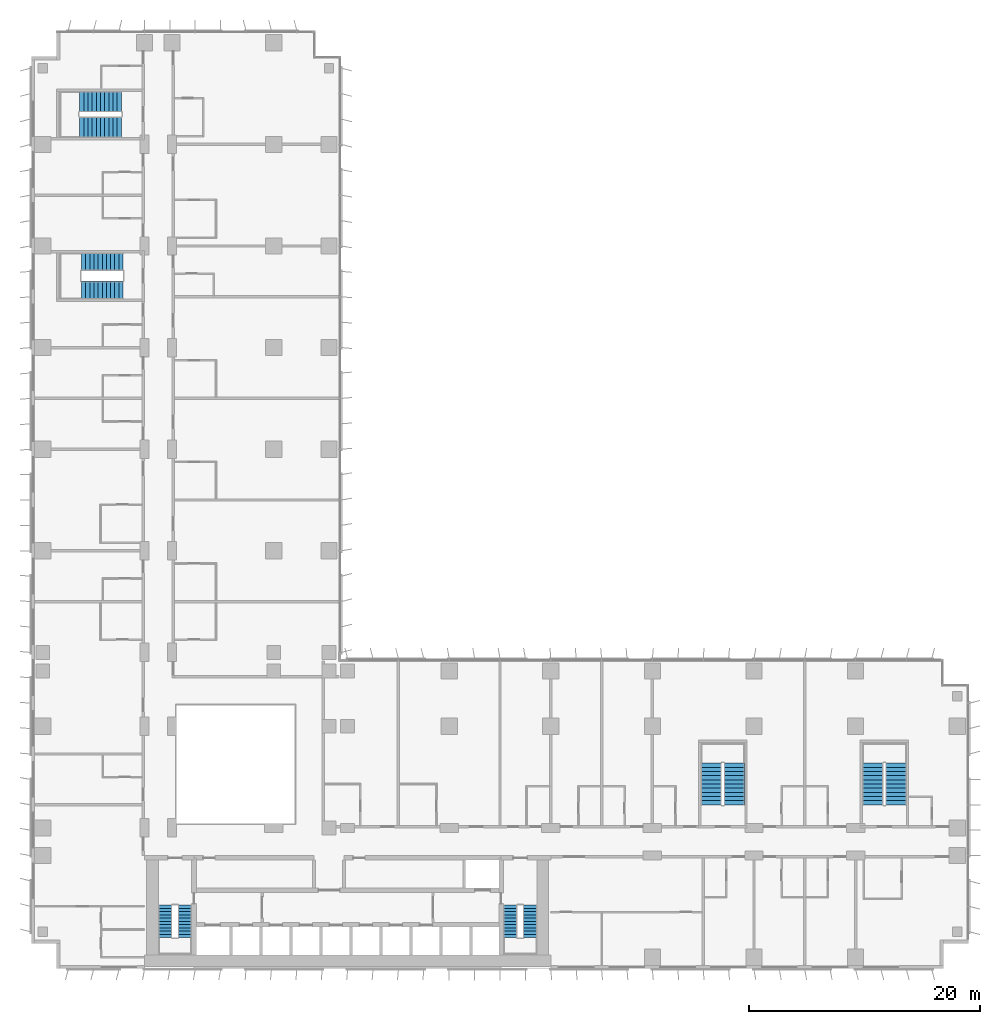
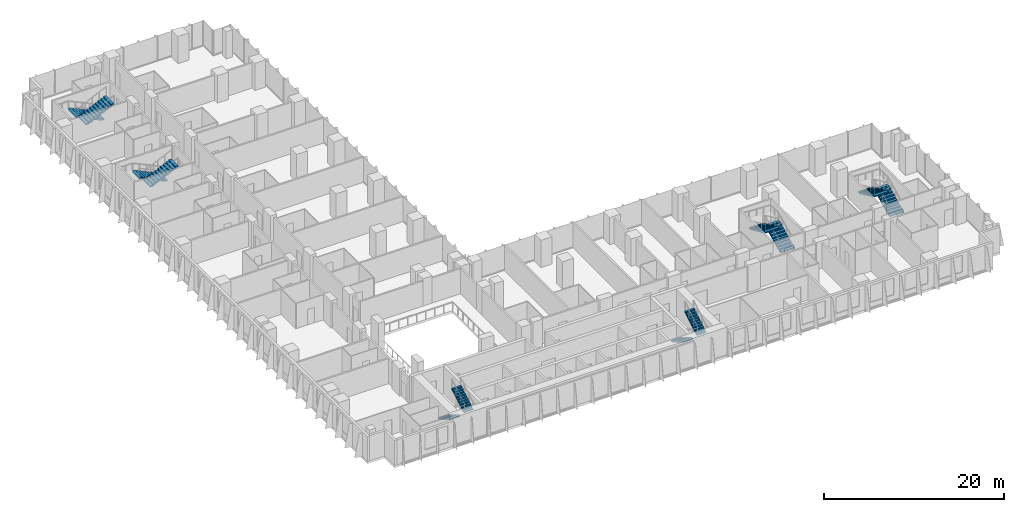
# One storey, part 20 of 24: 12 stair flights, 6 elements without a shape of their own.
"""IFC4 building model written with IfcOpenShell, lengths in metres."""

from ifc_helpers import new_model, si_unit, direction, frame, origin, place, context, subcontext, project, spatial, polyline, outline, extrude, material, type_object, element, aggregate, save


model = new_model("IFC4")

# Units and contexts
model_context = context("Model", 3, precision=1e-05, world=origin(), true_north=direction((0.0, 1.0)))
body_context = subcontext(model_context, "Body", "Model", "MODEL_VIEW")
ifc_project = project(units=[si_unit("LENGTHUNIT", "METRE"), si_unit("AREAUNIT", "SQUARE_METRE"), si_unit("VOLUMEUNIT", "CUBIC_METRE"), si_unit("PLANEANGLEUNIT", "RADIAN"), si_unit("MASSUNIT", "GRAM", prefix="KILO")], contexts=[model_context])

# Site, building, storey
site_placement = place(None, origin())
site = spatial("IfcSite", under=ifc_project, at=site_placement, CompositionType="ELEMENT")
building_placement = place(site_placement, origin())
building = spatial("IfcBuilding", under=site, at=building_placement, Name="Kemantara Hotel Tower", CompositionType="ELEMENT")
storey_placement = place(building_placement, frame((0.0, 0.0, 48.800048828125)))
storey = spatial("IfcBuildingStorey", under=building, at=storey_placement, Name="L10", CompositionType="ELEMENT", Elevation=48.800048828125)

# Stair, stair flights
ifc_material = material(Name="Concrete fc 40 MPa", Category="concrete")
stair_type_1 = type_object("IfcStairType", Name="Stair 1200 wide 22 risers of 168 x 280 mm", PredefinedType="HALF_TURN_STAIR", material=ifc_material)
stair_1_placement = place(storey_placement, origin())
stair_1 = element("IfcStair", 1, at=stair_1_placement, inside=storey, type_object=stair_type_1, Name="L10 Exit stair ST1", PredefinedType="HALF_TURN_STAIR")
stair_flight_type_1 = type_object("IfcStairFlightType", Name="Stair flight 1200 wide 168 x 280 mm", PredefinedType="STRAIGHT", material=ifc_material)
stair_flight_1_placement = place(storey_placement, frame((11.60009765625, 5.5, 0.0), z_axis=(0.0, 0.0, 1.0), x_axis=(0.0, -1.0, 0.0)))
stair_flight_1 = element("IfcStairFlight", 2, at=stair_flight_1_placement, type_object=stair_flight_type_1, Name="ST1 flight 1", NumberOfRisers=11, NumberOfTreads=10, PredefinedType="STRAIGHT", RiserHeight=0.168181818, TreadLength=0.28, context=body_context, shape_type="SweptSolid", body=[
    extrude(outline(polyline([(0.0, 0.0), (0.0, 0.168212890625), (0.280029296875, 0.168212890625), (0.280029296875, 0.33642578125), (0.56005859375, 0.33642578125), (0.56005859375, 0.504638671875), (0.840087890625, 0.504638671875), (0.840087890625, 0.672607421875), (1.1201171875, 0.672607421875), (1.1201171875, 0.8408203125), (1.39990234375, 0.8408203125), (1.39990234375, 1.009033203125), (1.679931640625, 1.009033203125), (1.679931640625, 1.17724609375), (1.9599609375, 1.17724609375), (1.9599609375, 1.345458984375), (2.239990234375, 1.345458984375), (2.239990234375, 1.513671875), (2.52001953125, 1.513671875), (2.52001953125, 1.681884765625), (2.800048828125, 1.681884765625), (2.800048828125, 1.85009765625), (2.800048828125, 1.5068359375), (0.291015625, 0.0), (0.0, 0.0)])), frame((0.0, 0.60009765625, 0.0), z_axis=(0.0, -1.0, 0.0), x_axis=(1.0, 0.0, 0.0)), (0.0, 0.0, 1.0), 1.199951171875),
])
stair_flight_2_placement = place(storey_placement, frame((13.300048828125, 2.699951171875, 1.849853515625), z_axis=(0.0, 0.0, 1.0), x_axis=(0.0, 1.0, 0.0)))
stair_flight_2 = element("IfcStairFlight", 3, at=stair_flight_2_placement, type_object=stair_flight_type_1, Name="ST1 flight 2", NumberOfRisers=11, NumberOfTreads=10, PredefinedType="STRAIGHT", RiserHeight=0.168181818, TreadLength=0.28, context=body_context, shape_type="SweptSolid", body=[
    extrude(outline(polyline([(0.0, 0.0), (0.0, 0.168212890625), (0.280029296875, 0.168212890625), (0.280029296875, 0.33642578125), (0.56005859375, 0.33642578125), (0.56005859375, 0.504638671875), (0.840087890625, 0.504638671875), (0.840087890625, 0.672607421875), (1.1201171875, 0.672607421875), (1.1201171875, 0.8408203125), (1.39990234375, 0.8408203125), (1.39990234375, 1.009033203125), (1.679931640625, 1.009033203125), (1.679931640625, 1.17724609375), (1.9599609375, 1.17724609375), (1.9599609375, 1.345458984375), (2.239990234375, 1.345458984375), (2.239990234375, 1.513671875), (2.52001953125, 1.513671875), (2.52001953125, 1.681884765625), (2.800048828125, 1.681884765625), (2.800048828125, 1.85009765625), (2.800048828125, 1.5068359375), (0.291015625, 0.0), (0.0, 0.0)])), frame((0.0, 0.60009765625, 0.0), z_axis=(0.0, -1.0, 0.0), x_axis=(1.0, 0.0, 0.0)), (0.0, 0.0, 1.0), 1.199951171875),
])
aggregate(stair_1, [stair_flight_1, stair_flight_2])

stair_2_placement = place(storey_placement, origin())
stair_2 = element("IfcStair", 4, at=stair_2_placement, inside=storey, type_object=stair_type_1, Name="L10 Exit stair ST2", PredefinedType="HALF_TURN_STAIR")
stair_flight_3_placement = place(storey_placement, frame((41.5, 5.5, 0.0), z_axis=(0.0, 0.0, 1.0), x_axis=(0.0, -1.0, 0.0)))
stair_flight_3 = element("IfcStairFlight", 5, at=stair_flight_3_placement, type_object=stair_flight_type_1, Name="ST2 flight 1", NumberOfRisers=11, NumberOfTreads=10, PredefinedType="STRAIGHT", RiserHeight=0.168181818, TreadLength=0.28, context=body_context, shape_type="SweptSolid", body=[
    extrude(outline(polyline([(0.0, 0.0), (0.0, 0.168212890625), (0.280029296875, 0.168212890625), (0.280029296875, 0.33642578125), (0.56005859375, 0.33642578125), (0.56005859375, 0.504638671875), (0.840087890625, 0.504638671875), (0.840087890625, 0.672607421875), (1.1201171875, 0.672607421875), (1.1201171875, 0.8408203125), (1.39990234375, 0.8408203125), (1.39990234375, 1.009033203125), (1.679931640625, 1.009033203125), (1.679931640625, 1.17724609375), (1.9599609375, 1.17724609375), (1.9599609375, 1.345458984375), (2.239990234375, 1.345458984375), (2.239990234375, 1.513671875), (2.52001953125, 1.513671875), (2.52001953125, 1.681884765625), (2.800048828125, 1.681884765625), (2.800048828125, 1.85009765625), (2.800048828125, 1.5068359375), (0.291015625, 0.0), (0.0, 0.0)])), frame((0.0, 0.60009765625, 0.0), z_axis=(0.0, -1.0, 0.0), x_axis=(1.0, 0.0, 0.0)), (0.0, 0.0, 1.0), 1.199951171875),
])
stair_flight_4_placement = place(storey_placement, frame((43.199951171875, 2.699951171875, 1.849853515625), z_axis=(0.0, 0.0, 1.0), x_axis=(0.0, 1.0, 0.0)))
stair_flight_4 = element("IfcStairFlight", 6, at=stair_flight_4_placement, type_object=stair_flight_type_1, Name="ST2 flight 2", NumberOfRisers=11, NumberOfTreads=10, PredefinedType="STRAIGHT", RiserHeight=0.168181818, TreadLength=0.28, context=body_context, shape_type="SweptSolid", body=[
    extrude(outline(polyline([(0.0, 0.0), (0.0, 0.168212890625), (0.280029296875, 0.168212890625), (0.280029296875, 0.33642578125), (0.56005859375, 0.33642578125), (0.56005859375, 0.504638671875), (0.840087890625, 0.504638671875), (0.840087890625, 0.672607421875), (1.1201171875, 0.672607421875), (1.1201171875, 0.8408203125), (1.39990234375, 0.8408203125), (1.39990234375, 1.009033203125), (1.679931640625, 1.009033203125), (1.679931640625, 1.17724609375), (1.9599609375, 1.17724609375), (1.9599609375, 1.345458984375), (2.239990234375, 1.345458984375), (2.239990234375, 1.513671875), (2.52001953125, 1.513671875), (2.52001953125, 1.681884765625), (2.800048828125, 1.681884765625), (2.800048828125, 1.85009765625), (2.800048828125, 1.5068359375), (0.291015625, 0.0), (0.0, 0.0)])), frame((0.0, 0.60009765625, 0.0), z_axis=(0.0, -1.0, 0.0), x_axis=(1.0, 0.0, 0.0)), (0.0, 0.0, 1.0), 1.199951171875),
])
aggregate(stair_2, [stair_flight_3, stair_flight_4])

stair_type_2 = type_object("IfcStairType", Name="Stair 1550 wide 22 risers of 168 x 360 mm", PredefinedType="HALF_TURN_STAIR", material=ifc_material)
stair_3_placement = place(storey_placement, origin())
stair_3 = element("IfcStair", 7, at=stair_3_placement, inside=storey, type_object=stair_type_2, Name="L10 Exit stair ST4", PredefinedType="HALF_TURN_STAIR")
stair_flight_type_2 = type_object("IfcStairFlightType", Name="Stair flight 1550 wide 168 x 360 mm", PredefinedType="STRAIGHT", material=ifc_material)
stair_flight_5_placement = place(storey_placement, frame((7.949951171875, 61.22509765625, 0.0), z_axis=(0.0, 0.0, 1.0), x_axis=(-1.0, 0.0, 0.0)))
stair_flight_5 = element("IfcStairFlight", 8, at=stair_flight_5_placement, type_object=stair_flight_type_2, Name="ST4 flight 1", NumberOfRisers=11, NumberOfTreads=10, PredefinedType="STRAIGHT", RiserHeight=0.168181818, TreadLength=0.36, context=body_context, shape_type="SweptSolid", body=[
    extrude(outline(polyline([(0.0, 0.0), (0.0, 0.168212890625), (0.360107421875, 0.168212890625), (0.360107421875, 0.33642578125), (0.719970703125, 0.33642578125), (0.719970703125, 0.504638671875), (1.080078125, 0.504638671875), (1.080078125, 0.672607421875), (1.43994140625, 0.672607421875), (1.43994140625, 0.8408203125), (1.800048828125, 0.8408203125), (1.800048828125, 1.009033203125), (2.159912109375, 1.009033203125), (2.159912109375, 1.17724609375), (2.52001953125, 1.17724609375), (2.52001953125, 1.345458984375), (2.8798828125, 1.345458984375), (2.8798828125, 1.513671875), (3.239990234375, 1.513671875), (3.239990234375, 1.681884765625), (3.60009765625, 1.681884765625), (3.60009765625, 1.85009765625), (3.60009765625, 1.516357421875), (0.354248046875, 0.0), (0.0, 0.0)])), frame((0.0, 0.77490234375, 0.0), z_axis=(0.0, -1.0, 0.0), x_axis=(1.0, 0.0, 0.0)), (0.0, 0.0, 1.0), 1.550048828125),
])
stair_flight_6_placement = place(storey_placement, frame((4.35009765625, 58.77490234375, 1.849853515625), z_axis=(0.0, 0.0, 1.0), x_axis=(1.0, 0.0, 0.0)))
stair_flight_6 = element("IfcStairFlight", 9, at=stair_flight_6_placement, type_object=stair_flight_type_2, Name="ST4 flight 2", NumberOfRisers=11, NumberOfTreads=10, PredefinedType="STRAIGHT", RiserHeight=0.168181818, TreadLength=0.36, context=body_context, shape_type="SweptSolid", body=[
    extrude(outline(polyline([(0.0, 0.0), (0.0, 0.168212890625), (0.360107421875, 0.168212890625), (0.360107421875, 0.33642578125), (0.719970703125, 0.33642578125), (0.719970703125, 0.504638671875), (1.080078125, 0.504638671875), (1.080078125, 0.672607421875), (1.43994140625, 0.672607421875), (1.43994140625, 0.8408203125), (1.800048828125, 0.8408203125), (1.800048828125, 1.009033203125), (2.159912109375, 1.009033203125), (2.159912109375, 1.17724609375), (2.52001953125, 1.17724609375), (2.52001953125, 1.345458984375), (2.8798828125, 1.345458984375), (2.8798828125, 1.513671875), (3.239990234375, 1.513671875), (3.239990234375, 1.681884765625), (3.60009765625, 1.681884765625), (3.60009765625, 1.85009765625), (3.60009765625, 1.516357421875), (0.354248046875, 0.0), (0.0, 0.0)])), frame((0.0, 0.77490234375, 0.0), z_axis=(0.0, -1.0, 0.0), x_axis=(1.0, 0.0, 0.0)), (0.0, 0.0, 1.0), 1.550048828125),
])
aggregate(stair_3, [stair_flight_5, stair_flight_6])

stair_type_3 = type_object("IfcStairType", Name="Stair 1800 wide 22 risers of 168 x 360 mm", PredefinedType="HALF_TURN_STAIR", material=ifc_material)
stair_4_placement = place(storey_placement, origin())
stair_4 = element("IfcStair", 10, at=stair_4_placement, inside=storey, type_object=stair_type_3, Name="L10 Exit stair ST3", PredefinedType="HALF_TURN_STAIR")
stair_flight_type_3 = type_object("IfcStairFlightType", Name="Stair flight 1800 wide 168 x 360 mm", PredefinedType="STRAIGHT", material=ifc_material)
stair_flight_7_placement = place(storey_placement, frame((60.89990234375, 14.199951171875, 0.0), z_axis=(0.0, 0.0, 1.0), x_axis=(0.0, 1.0, 0.0)))
stair_flight_7 = element("IfcStairFlight", 11, at=stair_flight_7_placement, type_object=stair_flight_type_3, Name="ST3 flight 1", NumberOfRisers=11, NumberOfTreads=10, PredefinedType="STRAIGHT", RiserHeight=0.168181818, TreadLength=0.36, context=body_context, shape_type="SweptSolid", body=[
    extrude(outline(polyline([(0.0, 0.0), (0.0, 0.168212890625), (0.360107421875, 0.168212890625), (0.360107421875, 0.33642578125), (0.719970703125, 0.33642578125), (0.719970703125, 0.504638671875), (1.080078125, 0.504638671875), (1.080078125, 0.672607421875), (1.43994140625, 0.672607421875), (1.43994140625, 0.8408203125), (1.800048828125, 0.8408203125), (1.800048828125, 1.009033203125), (2.159912109375, 1.009033203125), (2.159912109375, 1.17724609375), (2.52001953125, 1.17724609375), (2.52001953125, 1.345458984375), (2.8798828125, 1.345458984375), (2.8798828125, 1.513671875), (3.239990234375, 1.513671875), (3.239990234375, 1.681884765625), (3.60009765625, 1.681884765625), (3.60009765625, 1.85009765625), (3.60009765625, 1.516357421875), (0.354248046875, 0.0), (0.0, 0.0)])), frame((0.0, 0.89990234375, 0.0), z_axis=(0.0, -1.0, 0.0), x_axis=(1.0, 0.0, 0.0)), (0.0, 0.0, 1.0), 1.800048828125),
])
stair_flight_8_placement = place(storey_placement, frame((58.89990234375, 17.800048828125, 1.849853515625), z_axis=(0.0, 0.0, 1.0), x_axis=(0.0, -1.0, 0.0)))
stair_flight_8 = element("IfcStairFlight", 12, at=stair_flight_8_placement, type_object=stair_flight_type_3, Name="ST3 flight 2", NumberOfRisers=11, NumberOfTreads=10, PredefinedType="STRAIGHT", RiserHeight=0.168181818, TreadLength=0.36, context=body_context, shape_type="SweptSolid", body=[
    extrude(outline(polyline([(0.0, 0.0), (0.0, 0.168212890625), (0.360107421875, 0.168212890625), (0.360107421875, 0.33642578125), (0.719970703125, 0.33642578125), (0.719970703125, 0.504638671875), (1.080078125, 0.504638671875), (1.080078125, 0.672607421875), (1.43994140625, 0.672607421875), (1.43994140625, 0.8408203125), (1.800048828125, 0.8408203125), (1.800048828125, 1.009033203125), (2.159912109375, 1.009033203125), (2.159912109375, 1.17724609375), (2.52001953125, 1.17724609375), (2.52001953125, 1.345458984375), (2.8798828125, 1.345458984375), (2.8798828125, 1.513671875), (3.239990234375, 1.513671875), (3.239990234375, 1.681884765625), (3.60009765625, 1.681884765625), (3.60009765625, 1.85009765625), (3.60009765625, 1.516357421875), (0.354248046875, 0.0), (0.0, 0.0)])), frame((0.0, 0.89990234375, 0.0), z_axis=(0.0, -1.0, 0.0), x_axis=(1.0, 0.0, 0.0)), (0.0, 0.0, 1.0), 1.800048828125),
])
aggregate(stair_4, [stair_flight_7, stair_flight_8])

stair_5_placement = place(storey_placement, origin())
stair_5 = element("IfcStair", 13, at=stair_5_placement, inside=storey, type_object=stair_type_3, Name="L10 Exit stair ST5", PredefinedType="HALF_TURN_STAIR")
stair_flight_9_placement = place(storey_placement, frame((74.89990234375, 14.199951171875, 0.0), z_axis=(0.0, 0.0, 1.0), x_axis=(0.0, 1.0, 0.0)))
stair_flight_9 = element("IfcStairFlight", 14, at=stair_flight_9_placement, type_object=stair_flight_type_3, Name="ST5 flight 1", NumberOfRisers=11, NumberOfTreads=10, PredefinedType="STRAIGHT", RiserHeight=0.168181818, TreadLength=0.36, context=body_context, shape_type="SweptSolid", body=[
    extrude(outline(polyline([(0.0, 0.0), (0.0, 0.168212890625), (0.360107421875, 0.168212890625), (0.360107421875, 0.33642578125), (0.719970703125, 0.33642578125), (0.719970703125, 0.504638671875), (1.080078125, 0.504638671875), (1.080078125, 0.672607421875), (1.43994140625, 0.672607421875), (1.43994140625, 0.8408203125), (1.800048828125, 0.8408203125), (1.800048828125, 1.009033203125), (2.159912109375, 1.009033203125), (2.159912109375, 1.17724609375), (2.52001953125, 1.17724609375), (2.52001953125, 1.345458984375), (2.8798828125, 1.345458984375), (2.8798828125, 1.513671875), (3.239990234375, 1.513671875), (3.239990234375, 1.681884765625), (3.60009765625, 1.681884765625), (3.60009765625, 1.85009765625), (3.60009765625, 1.516357421875), (0.354248046875, 0.0), (0.0, 0.0)])), frame((0.0, 0.89990234375, 0.0), z_axis=(0.0, -1.0, 0.0), x_axis=(1.0, 0.0, 0.0)), (0.0, 0.0, 1.0), 1.800048828125),
])
stair_flight_10_placement = place(storey_placement, frame((72.89990234375, 17.800048828125, 1.849853515625), z_axis=(0.0, 0.0, 1.0), x_axis=(0.0, -1.0, 0.0)))
stair_flight_10 = element("IfcStairFlight", 15, at=stair_flight_10_placement, type_object=stair_flight_type_3, Name="ST5 flight 2", NumberOfRisers=11, NumberOfTreads=10, PredefinedType="STRAIGHT", RiserHeight=0.168181818, TreadLength=0.36, context=body_context, shape_type="SweptSolid", body=[
    extrude(outline(polyline([(0.0, 0.0), (0.0, 0.168212890625), (0.360107421875, 0.168212890625), (0.360107421875, 0.33642578125), (0.719970703125, 0.33642578125), (0.719970703125, 0.504638671875), (1.080078125, 0.504638671875), (1.080078125, 0.672607421875), (1.43994140625, 0.672607421875), (1.43994140625, 0.8408203125), (1.800048828125, 0.8408203125), (1.800048828125, 1.009033203125), (2.159912109375, 1.009033203125), (2.159912109375, 1.17724609375), (2.52001953125, 1.17724609375), (2.52001953125, 1.345458984375), (2.8798828125, 1.345458984375), (2.8798828125, 1.513671875), (3.239990234375, 1.513671875), (3.239990234375, 1.681884765625), (3.60009765625, 1.681884765625), (3.60009765625, 1.85009765625), (3.60009765625, 1.516357421875), (0.354248046875, 0.0), (0.0, 0.0)])), frame((0.0, 0.89990234375, 0.0), z_axis=(0.0, -1.0, 0.0), x_axis=(1.0, 0.0, 0.0)), (0.0, 0.0, 1.0), 1.800048828125),
])
aggregate(stair_5, [stair_flight_9, stair_flight_10])

stair_6_placement = place(storey_placement, origin())
stair_6 = element("IfcStair", 16, at=stair_6_placement, inside=storey, type_object=stair_type_3, Name="L10 Exit stair ST6", PredefinedType="HALF_TURN_STAIR")
stair_flight_11_placement = place(storey_placement, frame((7.800048828125, 75.10009765625, 0.0), z_axis=(0.0, 0.0, 1.0), x_axis=(-1.0, 0.0, 0.0)))
stair_flight_11 = element("IfcStairFlight", 17, at=stair_flight_11_placement, type_object=stair_flight_type_3, Name="ST6 flight 1", NumberOfRisers=11, NumberOfTreads=10, PredefinedType="STRAIGHT", RiserHeight=0.168181818, TreadLength=0.36, context=body_context, shape_type="SweptSolid", body=[
    extrude(outline(polyline([(0.0, 0.0), (0.0, 0.168212890625), (0.360107421875, 0.168212890625), (0.360107421875, 0.33642578125), (0.719970703125, 0.33642578125), (0.719970703125, 0.504638671875), (1.080078125, 0.504638671875), (1.080078125, 0.672607421875), (1.43994140625, 0.672607421875), (1.43994140625, 0.8408203125), (1.800048828125, 0.8408203125), (1.800048828125, 1.009033203125), (2.159912109375, 1.009033203125), (2.159912109375, 1.17724609375), (2.52001953125, 1.17724609375), (2.52001953125, 1.345458984375), (2.8798828125, 1.345458984375), (2.8798828125, 1.513671875), (3.239990234375, 1.513671875), (3.239990234375, 1.681884765625), (3.60009765625, 1.681884765625), (3.60009765625, 1.85009765625), (3.60009765625, 1.516357421875), (0.354248046875, 0.0), (0.0, 0.0)])), frame((0.0, 0.89990234375, 0.0), z_axis=(0.0, -1.0, 0.0), x_axis=(1.0, 0.0, 0.0)), (0.0, 0.0, 1.0), 1.800048828125),
])
stair_flight_12_placement = place(storey_placement, frame((4.199951171875, 72.89990234375, 1.849853515625), z_axis=(0.0, 0.0, 1.0), x_axis=(1.0, 0.0, 0.0)))
stair_flight_12 = element("IfcStairFlight", 18, at=stair_flight_12_placement, type_object=stair_flight_type_3, Name="ST6 flight 2", NumberOfRisers=11, NumberOfTreads=10, PredefinedType="STRAIGHT", RiserHeight=0.168181818, TreadLength=0.36, context=body_context, shape_type="SweptSolid", body=[
    extrude(outline(polyline([(0.0, 0.0), (0.0, 0.168212890625), (0.360107421875, 0.168212890625), (0.360107421875, 0.33642578125), (0.719970703125, 0.33642578125), (0.719970703125, 0.504638671875), (1.080078125, 0.504638671875), (1.080078125, 0.672607421875), (1.43994140625, 0.672607421875), (1.43994140625, 0.8408203125), (1.800048828125, 0.8408203125), (1.800048828125, 1.009033203125), (2.159912109375, 1.009033203125), (2.159912109375, 1.17724609375), (2.52001953125, 1.17724609375), (2.52001953125, 1.345458984375), (2.8798828125, 1.345458984375), (2.8798828125, 1.513671875), (3.239990234375, 1.513671875), (3.239990234375, 1.681884765625), (3.60009765625, 1.681884765625), (3.60009765625, 1.85009765625), (3.60009765625, 1.516357421875), (0.354248046875, 0.0), (0.0, 0.0)])), frame((0.0, 0.89990234375, 0.0), z_axis=(0.0, -1.0, 0.0), x_axis=(1.0, 0.0, 0.0)), (0.0, 0.0, 1.0), 1.800048828125),
])
aggregate(stair_6, [stair_flight_11, stair_flight_12])

save(model, "model.ifc")
